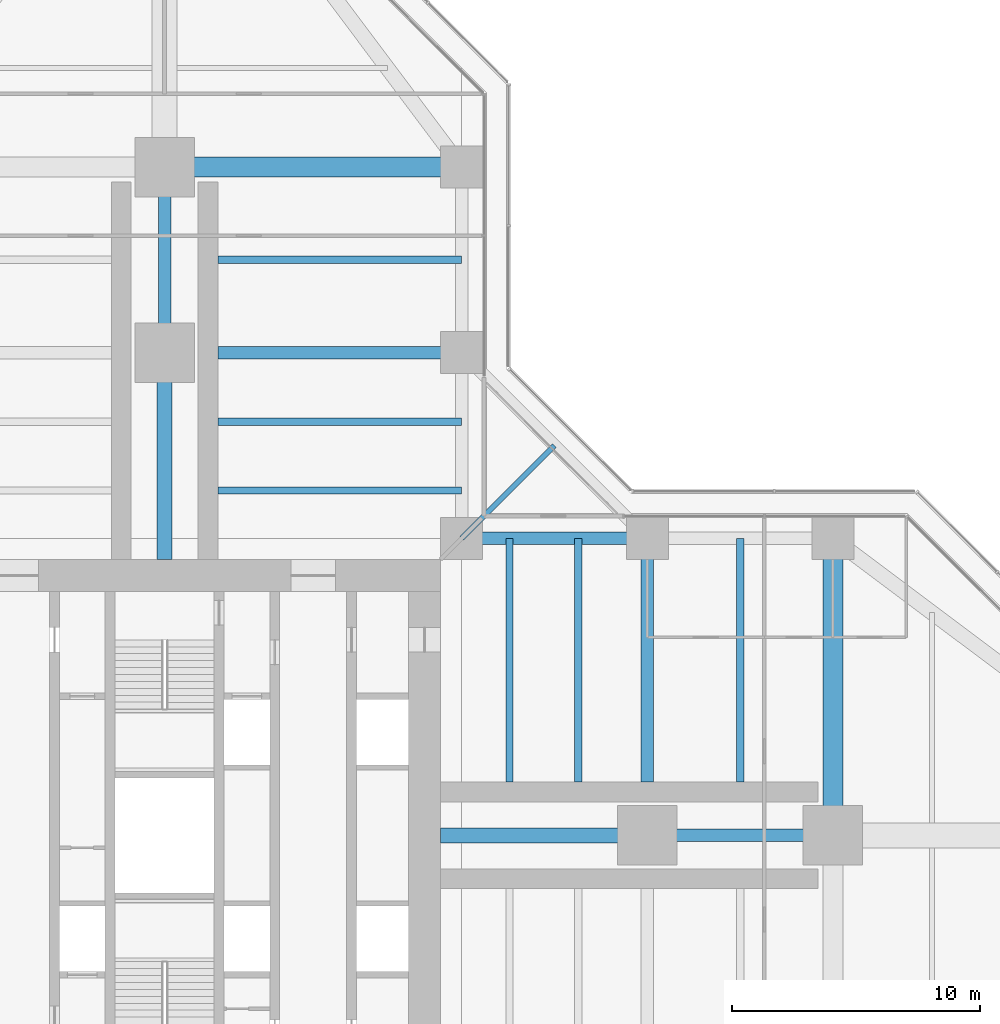
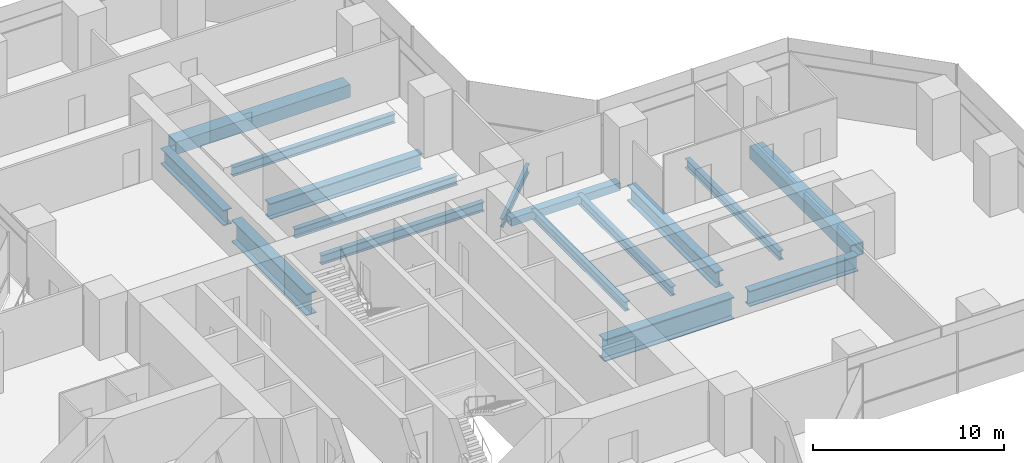
# One storey, part 10 of 22: 16 beams.
"""IFC4 building model written with IfcOpenShell, lengths in metres."""

from ifc_helpers import new_model, si_unit, direction, frame, origin, origin_2d, place, context, subcontext, project, spatial, hollow_rectangle, i_section, extrude, material, material_profile, profile_set, type_object, element, save


model = new_model("IFC4")

# Units and contexts
model_context = context("Model", 3, precision=1e-05, world=origin(), true_north=direction((0.0, 1.0)))
body_context = subcontext(model_context, "Body", "Model", "MODEL_VIEW")
ifc_project = project(units=[si_unit("LENGTHUNIT", "METRE"), si_unit("AREAUNIT", "SQUARE_METRE"), si_unit("VOLUMEUNIT", "CUBIC_METRE"), si_unit("PLANEANGLEUNIT", "RADIAN"), si_unit("MASSUNIT", "GRAM", prefix="KILO")], contexts=[model_context])

# Site, building, storey
site_placement = place(None, origin())
site = spatial("IfcSite", under=ifc_project, at=site_placement, CompositionType="ELEMENT")
building_placement = place(site_placement, origin())
building = spatial("IfcBuilding", under=site, at=building_placement, Name="Mizan Broadcast Tower", CompositionType="ELEMENT")
storey_placement = place(building_placement, frame((0.0, 0.0, 90.300048828125)))
storey = spatial("IfcBuildingStorey", under=building, at=storey_placement, Name="L19", CompositionType="ELEMENT", Elevation=90.300048828125)

# Beams
ifc_material_1 = material(Name="Steel S355", Category="steel")
ifc_material_profile_1 = material_profile(ifc_material_1, hollow_rectangle(XDim=0.5, YDim=0.5, WallThickness=0.030029296875, at=origin_2d()), Name="BOX 500x500x30")
ifc_profile_set_1 = profile_set([ifc_material_profile_1], Name="Steel S355")
beam_type_1 = type_object("IfcBeamType", Name="EDGE BEAM BOX 500x500x30", PredefinedType="SPANDREL", material=ifc_profile_set_1)
beam_1_placement = place(storey_placement, frame((12.449951171875, 12.0, -0.380126953125), z_axis=(1.0, 0.0, 0.0), x_axis=(0.0, 1.0, 0.0)))
element("IfcBeam", 1, at=beam_1_placement, inside=storey, type_object=beam_type_1, Name="Edge beam BOX 500x500x30 L19 east arm", PredefinedType="SPANDREL", context=body_context, shape_type="SweptSolid", body=[
    extrude(hollow_rectangle(XDim=0.5, YDim=0.5, WallThickness=0.030029296875, at=origin_2d()), origin(), (0.0, 0.0, 1.0), 6.60009765625),
])
ifc_material_2 = material(Name="Steel S460", Category="steel")
ifc_material_profile_2 = material_profile(ifc_material_2, hollow_rectangle(XDim=0.800048828125, YDim=0.800048828125, WallThickness=0.050048828125, at=origin_2d()), Name="BOX 800x800x50")
ifc_profile_set_2 = profile_set([ifc_material_profile_2], Name="Steel S460")
beam_type_2 = type_object("IfcBeamType", Name="GIRDER BOX 800x800x50", PredefinedType="BEAM", material=ifc_profile_set_2)
for number, where, z_axis, x_axis, name in (
    (2, (27.0, 11.280029296875, -0.530029296875), (0.0, -1.0, 0.0), (1.0, 0.0, 0.0), "Girder BOX 800x800x50 L19 east arm"),
    (3, (11.280029296875, 27.0, -0.530029296875), (-1.0, 0.0, 0.0), (0.0, -1.0, 0.0), "Girder BOX 800x800x50 L19 north arm"),
):
    element("IfcBeam", number, at=place(storey_placement, frame(where, z_axis=z_axis, x_axis=x_axis)), inside=storey, type_object=beam_type_2, Name=name, PredefinedType="BEAM", context=body_context, shape_type="SweptSolid", body=[
        extrude(hollow_rectangle(XDim=0.800048828125, YDim=0.800048828125, WallThickness=0.050048828125, at=origin_2d()), origin(), (0.0, 0.0, 1.0), 10.56005859375),
    ])
ifc_material_3 = material(Name="Steel S460", Category="steel")
ifc_material_profile_3 = material_profile(ifc_material_3, i_section(OverallWidth=0.5, OverallDepth=1.0, WebThickness=0.02490234375, FlangeThickness=0.050048828125, at=origin_2d()), Name="WPG 1000x500")
ifc_profile_set_3 = profile_set([ifc_material_profile_3], Name="Steel S460")
beam_type_3 = type_object("IfcBeamType", Name="GIRDER WPG 1000x500", PredefinedType="BEAM", material=ifc_profile_set_3)
beam_2_placement = place(storey_placement, frame((19.949951171875, 0.0, -0.630126953125), z_axis=(1.0, 0.0, 0.0), x_axis=(0.0, 1.0, 0.0)))
element("IfcBeam", 4, at=beam_2_placement, inside=storey, type_object=beam_type_3, Name="Girder WPG 1000x500 L19 east arm", PredefinedType="BEAM", context=body_context, shape_type="SweptSolid", body=[
    extrude(i_section(OverallWidth=0.5, OverallDepth=1.0, WebThickness=0.02490234375, FlangeThickness=0.050048828125, at=origin_2d()), origin(), (0.0, 0.0, 1.0), 6.60009765625),
])
beam_3_placement = place(storey_placement, frame((19.5, 11.408935546875, -0.630126953125), z_axis=(0.0, -1.0, 0.0), x_axis=(1.0, 0.0, 0.0)))
element("IfcBeam", 5, at=beam_3_placement, inside=storey, type_object=beam_type_3, Name="Girder WPG 1000x500 L19 east arm", PredefinedType="BEAM", context=body_context, shape_type="SweptSolid", body=[
    extrude(i_section(OverallWidth=0.5, OverallDepth=1.0, WebThickness=0.02490234375, FlangeThickness=0.050048828125, at=origin_2d()), origin(), (0.0, 0.0, 1.0), 9.259033203125),
])
beam_4_placement = place(storey_placement, frame((0.0, 19.949951171875, -0.630126953125), z_axis=(0.0, 1.0, 0.0), x_axis=(-1.0, 0.0, 0.0)))
element("IfcBeam", 6, at=beam_4_placement, inside=storey, type_object=beam_type_3, Name="Girder WPG 1000x500 L19 north arm", PredefinedType="BEAM", context=body_context, shape_type="SweptSolid", body=[
    extrude(i_section(OverallWidth=0.5, OverallDepth=1.0, WebThickness=0.02490234375, FlangeThickness=0.050048828125, at=origin_2d()), origin(), (0.0, 0.0, 1.0), 6.60009765625),
])
beam_5_placement = place(storey_placement, frame((11.408935546875, 19.5, -0.630126953125), z_axis=(-1.0, 0.0, 0.0), x_axis=(0.0, -1.0, 0.0)))
element("IfcBeam", 7, at=beam_5_placement, inside=storey, type_object=beam_type_3, Name="Girder WPG 1000x500 L19 north arm", PredefinedType="BEAM", context=body_context, shape_type="SweptSolid", body=[
    extrude(i_section(OverallWidth=0.5, OverallDepth=1.0, WebThickness=0.02490234375, FlangeThickness=0.050048828125, at=origin_2d()), origin(), (0.0, 0.0, 1.0), 9.259033203125),
])
ifc_material_4 = material(Name="Steel S460", Category="steel")
ifc_material_profile_4 = material_profile(ifc_material_4, i_section(OverallWidth=0.60009765625, OverallDepth=1.39990234375, WebThickness=0.02490234375, FlangeThickness=0.06005859375, at=origin_2d()), Name="WPG 1400x600")
ifc_profile_set_4 = profile_set([ifc_material_profile_4], Name="Steel S460")
beam_type_4 = type_object("IfcBeamType", Name="GIRDER WPG 1400x600", PredefinedType="BEAM", material=ifc_profile_set_4)
for number, where, z_axis, x_axis, name in (
    (8, (11.14990234375, 0.0, -0.830078125), (1.0, 0.0, 0.0), (0.0, 1.0, 0.0), "Girder WPG 1400x600 L19 east arm"),
    (9, (0.0, 11.14990234375, -0.830078125), (0.0, 1.0, 0.0), (-1.0, 0.0, 0.0), "Girder WPG 1400x600 L19 north arm"),
):
    element("IfcBeam", number, at=place(storey_placement, frame(where, z_axis=z_axis, x_axis=x_axis)), inside=storey, type_object=beam_type_4, Name=name, PredefinedType="BEAM", context=body_context, shape_type="SweptSolid", body=[
        extrude(i_section(OverallWidth=0.60009765625, OverallDepth=1.39990234375, WebThickness=0.02490234375, FlangeThickness=0.06005859375, at=origin_2d()), origin(), (0.0, 0.0, 1.0), 7.84912109375),
    ])
ifc_material_5 = material(Name="Steel S355", Category="steel")
ifc_material_profile_5 = material_profile(ifc_material_5, i_section(OverallWidth=0.300048828125, OverallDepth=0.590087890625, WebThickness=0.012939453125, FlangeThickness=0.02490234375, FilletRadius=0.027099609375, at=origin_2d()), Name="HEA 600")
ifc_profile_set_5 = profile_set([ifc_material_profile_5], Name="Steel S355")
beam_type_5 = type_object("IfcBeamType", Name="SECONDARY BEAM HEA 600", PredefinedType="JOIST", material=ifc_profile_set_5)
for number, where, z_axis, x_axis, name in (
    (10, (13.933349609375, 12.0, -0.425048828125), (0.0, -1.0, 0.0), (1.0, 0.0, 0.0), "Secondary beam HEA 600 L19 east arm"),
    (11, (16.716552734375, 12.0, -0.425048828125), (0.0, -1.0, 0.0), (1.0, 0.0, 0.0), "Secondary beam HEA 600 L19 east arm"),
    (12, (23.25, 12.0, -0.425048828125), (0.0, -1.0, 0.0), (1.0, 0.0, 0.0), "Secondary beam HEA 600 L19 east arm"),
    (13, (12.0, 13.933349609375, -0.425048828125), (-1.0, 0.0, 0.0), (0.0, -1.0, 0.0), "Secondary beam HEA 600 L19 north arm"),
    (14, (12.0, 16.716552734375, -0.425048828125), (-1.0, 0.0, 0.0), (0.0, -1.0, 0.0), "Secondary beam HEA 600 L19 north arm"),
    (15, (12.0, 23.25, -0.425048828125), (-1.0, 0.0, 0.0), (0.0, -1.0, 0.0), "Secondary beam HEA 600 L19 north arm"),
):
    element("IfcBeam", number, at=place(storey_placement, frame(where, z_axis=z_axis, x_axis=x_axis)), inside=storey, type_object=beam_type_5, Name=name, PredefinedType="JOIST", context=body_context, shape_type="SweptSolid", body=[
        extrude(i_section(OverallWidth=0.300048828125, OverallDepth=0.590087890625, WebThickness=0.012939453125, FlangeThickness=0.02490234375, FilletRadius=0.027099609375, at=origin_2d()), origin(), (0.0, 0.0, 1.0), 9.85009765625),
    ])
ifc_material_6 = material(Name="Steel S355", Category="steel")
ifc_material_profile_6 = material_profile(ifc_material_6, i_section(OverallWidth=0.2099609375, OverallDepth=0.550048828125, WebThickness=0.010986328125, FlangeThickness=0.01708984375, FilletRadius=0.02392578125, at=origin_2d()), Name="IPE 550")
ifc_profile_set_6 = profile_set([ifc_material_profile_6], Name="Steel S355")
beam_type_6 = type_object("IfcBeamType", Name="SECONDARY BEAM IPE 550", PredefinedType="JOIST", material=ifc_profile_set_6)
beam_6_placement = place(storey_placement, frame((12.0, 12.0, -0.405029296875), z_axis=(0.707106781187, 0.707106781187, 0.0), x_axis=(-0.707106781187, 0.707106781187, 0.0)))
element("IfcBeam", 16, at=beam_6_placement, inside=storey, type_object=beam_type_6, Name="Winter garden beam L19 E", PredefinedType="JOIST", context=body_context, shape_type="SweptSolid", body=[
    extrude(i_section(OverallWidth=0.2099609375, OverallDepth=0.550048828125, WebThickness=0.010986328125, FlangeThickness=0.01708984375, FilletRadius=0.02392578125, at=origin_2d()), origin(), (0.0, 0.0, 1.0), 5.30322265625),
])

save(model, "model.ifc")
